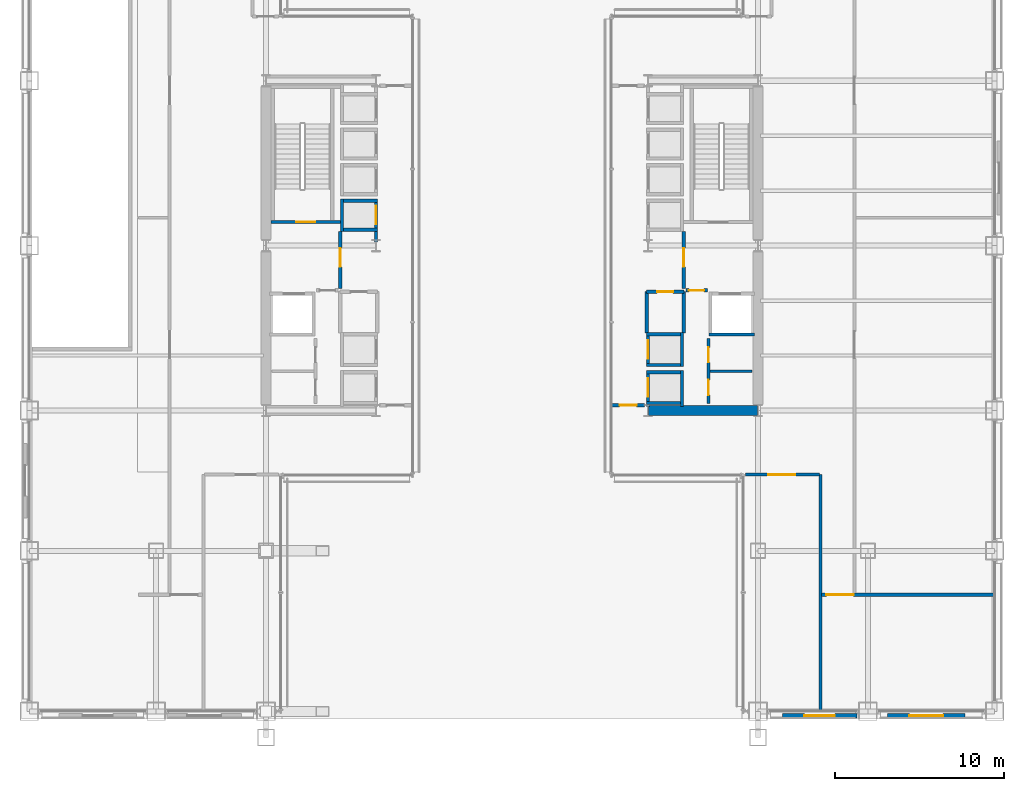
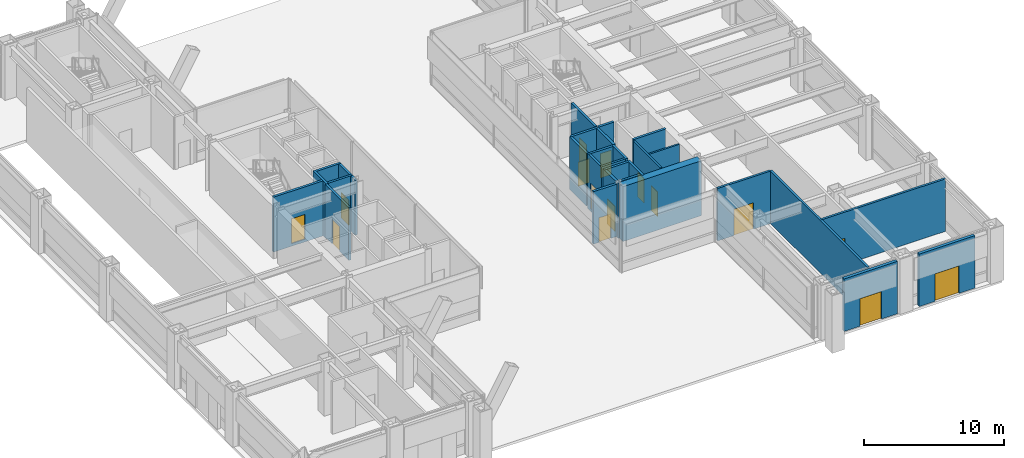
# One storey, part 31 of 37: 29 walls, 15 doors, 15 openings.
"""IFC4 building model written with IfcOpenShell, lengths in metres."""

from ifc_helpers import new_model, si_unit, direction, frame, frame_2d, origin, place, context, subcontext, project, spatial, rectangle, extrude, material, layer, layer_set, type_object, element, fill, save


model = new_model("IFC4")

# Units and contexts
model_context = context("Model", 3, precision=1e-05, world=origin(), true_north=direction((0.0, 1.0)))
body_context = subcontext(model_context, "Body", "Model", "MODEL_VIEW")
ifc_project = project(units=[si_unit("LENGTHUNIT", "METRE"), si_unit("AREAUNIT", "SQUARE_METRE"), si_unit("VOLUMEUNIT", "CUBIC_METRE"), si_unit("PLANEANGLEUNIT", "RADIAN"), si_unit("MASSUNIT", "GRAM", prefix="KILO")], contexts=[model_context])

# Site, building, storey
site_placement = place(None, origin())
site = spatial("IfcSite", under=ifc_project, at=site_placement, CompositionType="ELEMENT")
building_placement = place(site_placement, origin())
building = spatial("IfcBuilding", under=site, at=building_placement, Name="Brelmoor Portico Tower", CompositionType="ELEMENT")
storey_placement = place(building_placement, origin())
storey = spatial("IfcBuildingStorey", under=building, at=storey_placement, Name="L00", CompositionType="ELEMENT", Elevation=0.0)

# Wall
ifc_material_1 = material(Name="Concrete C60", Category="concrete")
ifc_layer_1 = layer(ifc_material_1, 0.60009765625)
ifc_layer_set_1 = layer_set([ifc_layer_1], Name="Concrete C60")
wall_type_1 = type_object("IfcWallType", Name="WL-CORE-600", PredefinedType="SHEAR", material=ifc_layer_set_1)
wall_1_placement = place(storey_placement, frame((8.070068359375, -9.75, -0.219970703125), z_axis=(0.0, 0.0, 1.0), x_axis=(1.0, 0.0, 0.0)))
element("IfcWall", 1, at=wall_1_placement, inside=storey, type_object=wall_type_1, Name="L00 EC South Shear Wall", PredefinedType="SHEAR", context=body_context, shape_type="SweptSolid", body=[
    extrude(rectangle(XDim=6.4599609375, YDim=0.60009765625, at=frame_2d((3.22998046875, 0.0))), origin(), (0.0, 0.0, 1.0), 4.800048828125),
])

# Wall, opening, door
ifc_material_2 = material(Name="Precast Concrete C40 Insulated Facade Wall", Category="concrete")
ifc_layer_2 = layer(ifc_material_2, 0.25)
ifc_layer_set_2 = layer_set([ifc_layer_2], Name="Precast Concrete C40 Insulated Facade Wall")
wall_type_2 = type_object("IfcWallType", Name="WL-EXT-250", PredefinedType="STANDARD", material=ifc_layer_set_2)
wall_2_placement = place(storey_placement, frame((20.39990234375, -27.800048828125, 0.0), z_axis=(0.0, 0.0, 1.0), x_axis=(-1.0, 0.0, 0.0)))
wall_2 = element("IfcWall", 2, at=wall_2_placement, inside=storey, type_object=wall_type_2, Name="L00 Final Exit Portal Wall ED-03", PredefinedType="STANDARD", context=body_context, shape_type="SweptSolid", body=[
    extrude(rectangle(XDim=4.39990234375, YDim=0.25, at=frame_2d((2.199951171875, 0.0))), origin(), (0.0, 0.0, 1.0), 4.580078125),
])
opening_1_placement = place(wall_2_placement, frame((1.300048828125, 0.0, 0.0)))
opening_1 = element("IfcOpeningElement", 3, at=opening_1_placement, cuts=wall_2, Name="Opening ED-02", PredefinedType="OPENING", context=body_context, shape_type="SweptSolid", body=[
    extrude(rectangle(XDim=1.800048828125, YDim=2.39990234375, at=frame_2d((0.89990234375, 1.199951171875))), frame((0.0, 0.135009765625, 0.0), z_axis=(0.0, -1.0, 0.0), x_axis=(1.0, 0.0, 0.0)), (0.0, 0.0, 1.0), 0.27001953125),
])
ifc_material_3 = material(Name="Anodised Aluminium Secondary Exit Door", Category="aluminium")
door_type_1 = type_object("IfcDoorType", Name="DR-EXIT-1800", OperationType="NOTDEFINED", PredefinedType="DOOR", material=ifc_material_3)
door_1_placement = place(opening_1_placement, origin())
door_1 = element("IfcDoor", 4, at=door_1_placement, inside=storey, type_object=door_type_1, Name="D-0051 L00 Ground Final Exit Door ED-03", OperationType="DOUBLE_DOOR_SINGLE_SWING", OverallHeight=2.39990234375, OverallWidth=1.800048828125, PredefinedType="DOOR", context=body_context, shape_type="SweptSolid", body=[
    extrude(rectangle(XDim=1.800048828125, YDim=2.39990234375, at=frame_2d((0.89990234375, 1.199951171875))), frame((0.0, 0.02490234375, 0.0), z_axis=(0.0, -1.0, 0.0), x_axis=(1.0, 0.0, 0.0)), (0.0, 0.0, 1.0), 0.050048828125),
])
fill(opening_1, door_1)

wall_3_placement = place(storey_placement, frame((26.800048828125, -27.800048828125, 0.0), z_axis=(0.0, 0.0, 1.0), x_axis=(-1.0, 0.0, 0.0)))
wall_3 = element("IfcWall", 5, at=wall_3_placement, inside=storey, type_object=wall_type_2, Name="L00 Final Exit Portal Wall ED-04", PredefinedType="STANDARD", context=body_context, shape_type="SweptSolid", body=[
    extrude(rectangle(XDim=4.60009765625, YDim=0.25, at=frame_2d((2.300048828125, 0.0))), origin(), (0.0, 0.0, 1.0), 4.580078125),
])
opening_2_placement = place(wall_3_placement, frame((1.300048828125, 0.0, 0.0)))
opening_2 = element("IfcOpeningElement", 6, at=opening_2_placement, cuts=wall_3, Name="Opening ED-01", PredefinedType="OPENING", context=body_context, shape_type="SweptSolid", body=[
    extrude(rectangle(XDim=2.0, YDim=2.39990234375, at=frame_2d((1.0, 1.199951171875))), frame((0.0, 0.135009765625, 0.0), z_axis=(0.0, -1.0, 0.0), x_axis=(1.0, 0.0, 0.0)), (0.0, 0.0, 1.0), 0.27001953125),
])
ifc_material_4 = material(Name="Anodised Aluminium Outward Panic Exit Door", Category="aluminium")
door_type_2 = type_object("IfcDoorType", Name="DR-EXIT-2000", OperationType="NOTDEFINED", PredefinedType="DOOR", material=ifc_material_4)
door_2_placement = place(opening_2_placement, origin())
door_2 = element("IfcDoor", 7, at=door_2_placement, inside=storey, type_object=door_type_2, Name="D-0052 L00 Ground Final Exit Door ED-04", OperationType="DOUBLE_DOOR_SINGLE_SWING", OverallHeight=2.39990234375, OverallWidth=2.0, PredefinedType="DOOR", context=body_context, shape_type="SweptSolid", body=[
    extrude(rectangle(XDim=2.0, YDim=2.39990234375, at=frame_2d((1.0, 1.199951171875))), frame((0.0, 0.02490234375, 0.0), z_axis=(0.0, -1.0, 0.0), x_axis=(1.0, 0.0, 0.0)), (0.0, 0.0, 1.0), 0.050048828125),
])
fill(opening_2, door_2)

# Wall
ifc_material_5 = material(Name="Insulated Stud Suite Partition", Category="gypsum")
ifc_layer_3 = layer(ifc_material_5, 0.139892578125)
ifc_layer_set_3 = layer_set([ifc_layer_3], Name="Insulated Stud Suite Partition")
wall_type_3 = type_object("IfcWallType", Name="WL-PART-140", PredefinedType="PARTITIONING", material=ifc_layer_set_3)
wall_4_placement = place(storey_placement, frame((11.699951171875, -7.425048828125, 0.0), z_axis=(0.0, 0.0, 1.0), x_axis=(1.0, 0.0, 0.0)))
element("IfcWall", 8, at=wall_4_placement, inside=storey, type_object=wall_type_3, Name="L00 E Core WC Divider 1", PredefinedType="PARTITIONING", context=body_context, shape_type="SweptSolid", body=[
    extrude(rectangle(XDim=2.5, YDim=0.139892578125, at=frame_2d((1.25, 0.0))), origin(), (0.0, 0.0, 1.0), 4.580078125),
])

# Wall, openings, doors
ifc_material_6 = material(Name="Twin-Frame Acoustic Partition", Category="gypsum")
ifc_layer_4 = layer(ifc_material_6, 0.159912109375)
ifc_layer_set_4 = layer_set([ifc_layer_4], Name="Twin-Frame Acoustic Partition")
wall_type_4 = type_object("IfcWallType", Name="WL-PART-160", PredefinedType="PARTITIONING", material=ifc_layer_set_4)
wall_5_placement = place(storey_placement, frame((11.6201171875, -9.35009765625, 0.0), z_axis=(0.0, 0.0, 1.0), x_axis=(0.0, 1.0, 0.0)))
wall_5 = element("IfcWall", 9, at=wall_5_placement, inside=storey, type_object=wall_type_4, Name="L00 E Core Service Front Wall", PredefinedType="PARTITIONING", context=body_context, shape_type="SweptSolid", body=[
    extrude(rectangle(XDim=3.85009765625, YDim=0.159912109375, at=frame_2d((1.925048828125, 0.0))), origin(), (0.0, 0.0, 1.0), 4.580078125),
])
opening_3_placement = place(wall_5_placement, frame((0.512451171875, 0.0, 0.0)))
opening_3 = element("IfcOpeningElement", 10, at=opening_3_placement, cuts=wall_5, Name="Opening D-IN1", PredefinedType="OPENING", context=body_context, shape_type="SweptSolid", body=[
    extrude(rectangle(XDim=0.89990234375, YDim=2.14990234375, at=frame_2d((0.449951171875, 1.074951171875))), frame((0.0, 0.08984375, 0.0), z_axis=(0.0, -1.0, 0.0), x_axis=(1.0, 0.0, 0.0)), (0.0, 0.0, 1.0), 0.179931640625),
])
opening_4_placement = place(wall_5_placement, frame((2.4375, 0.0, 0.0)))
opening_4 = element("IfcOpeningElement", 11, at=opening_4_placement, cuts=wall_5, Name="Opening D-IN1", PredefinedType="OPENING", context=body_context, shape_type="SweptSolid", body=[
    extrude(rectangle(XDim=0.89990234375, YDim=2.14990234375, at=frame_2d((0.449951171875, 1.074951171875))), frame((0.0, 0.08984375, 0.0), z_axis=(0.0, -1.0, 0.0), x_axis=(1.0, 0.0, 0.0)), (0.0, 0.0, 1.0), 0.179931640625),
])
ifc_material_7 = material(Name="Lacquered Timber Suite Door", Category="wood")
door_type_3 = type_object("IfcDoorType", Name="DR-INT-900", OperationType="NOTDEFINED", PredefinedType="DOOR", material=ifc_material_7)
door_3_placement = place(opening_3_placement, origin())
door_3 = element("IfcDoor", 12, at=door_3_placement, inside=storey, type_object=door_type_3, Name="D-0043 L00 E Male WC Door", OperationType="SINGLE_SWING_RIGHT", OverallHeight=2.14990234375, OverallWidth=0.89990234375, PredefinedType="DOOR", context=body_context, shape_type="SweptSolid", body=[
    extrude(rectangle(XDim=0.89990234375, YDim=2.14990234375, at=frame_2d((0.449951171875, 1.074951171875))), frame((0.0, 0.02490234375, 0.0), z_axis=(0.0, -1.0, 0.0), x_axis=(1.0, 0.0, 0.0)), (0.0, 0.0, 1.0), 0.050048828125),
])
fill(opening_3, door_3)
door_4_placement = place(opening_4_placement, origin())
door_4 = element("IfcDoor", 13, at=door_4_placement, inside=storey, type_object=door_type_3, Name="D-0044 L00 E Female WC Door", OperationType="SINGLE_SWING_LEFT", OverallHeight=2.14990234375, OverallWidth=0.89990234375, PredefinedType="DOOR", context=body_context, shape_type="SweptSolid", body=[
    extrude(rectangle(XDim=0.89990234375, YDim=2.14990234375, at=frame_2d((0.449951171875, 1.074951171875))), frame((0.0, 0.02490234375, 0.0), z_axis=(0.0, -1.0, 0.0), x_axis=(1.0, 0.0, 0.0)), (0.0, 0.0, 1.0), 0.050048828125),
])
fill(opening_4, door_4)

# Wall, opening, door
ifc_material_8 = material(Name="Acoustic Corridor Fire Partition", Category="gypsum")
ifc_layer_5 = layer(ifc_material_8, 0.179931640625)
ifc_layer_set_5 = layer_set([ifc_layer_5], Name="Acoustic Corridor Fire Partition")
wall_type_5 = type_object("IfcWallType", Name="WL-PART-180", PredefinedType="PARTITIONING", material=ifc_layer_set_5)
wall_6_placement = place(storey_placement, frame((13.800048828125, -13.550048828125, 0.0), z_axis=(0.0, 0.0, 1.0), x_axis=(1.0, 0.0, 0.0)))
wall_6 = element("IfcWall", 14, at=wall_6_placement, inside=storey, type_object=wall_type_5, Name="L00 E South Hall Wall", PredefinedType="PARTITIONING", context=body_context, shape_type="SweptSolid", body=[
    extrude(rectangle(XDim=4.39990234375, YDim=0.179931640625, at=frame_2d((2.199951171875, 0.0))), origin(), (0.0, 0.0, 1.0), 4.580078125),
])
opening_5_placement = place(wall_6_placement, frame((1.35009765625, 0.0, 0.0)))
opening_5 = element("IfcOpeningElement", 15, at=opening_5_placement, cuts=wall_6, Name="Opening D-PB1", PredefinedType="OPENING", context=body_context, shape_type="SweptSolid", body=[
    extrude(rectangle(XDim=1.60009765625, YDim=2.300048828125, at=frame_2d((0.800048828125, 1.14990234375))), frame((0.0, 0.099853515625, 0.0), z_axis=(0.0, -1.0, 0.0), x_axis=(1.0, 0.0, 0.0)), (0.0, 0.0, 1.0), 0.199951171875),
])
ifc_material_9 = material(Name="Double-Leaf Anodised Aluminium Hall Door", Category="aluminium")
door_type_4 = type_object("IfcDoorType", Name="DR-PUBLIC-1600", OperationType="NOTDEFINED", PredefinedType="DOOR", material=ifc_material_9)
door_5_placement = place(opening_5_placement, origin())
door_5 = element("IfcDoor", 16, at=door_5_placement, inside=storey, type_object=door_type_4, Name="D-0069 L00 E South Studio Door", OperationType="DOUBLE_DOOR_SINGLE_SWING", OverallHeight=2.300048828125, OverallWidth=1.60009765625, PredefinedType="DOOR", context=body_context, shape_type="SweptSolid", body=[
    extrude(rectangle(XDim=1.60009765625, YDim=2.300048828125, at=frame_2d((0.800048828125, 1.14990234375))), frame((0.0, 0.02490234375, 0.0), z_axis=(0.0, -1.0, 0.0), x_axis=(1.0, 0.0, 0.0)), (0.0, 0.0, 1.0), 0.050048828125),
])
fill(opening_5, door_5)

# Wall
wall_7_placement = place(storey_placement, frame((18.25, -27.5, 0.0), z_axis=(0.0, 0.0, 1.0), x_axis=(0.0, 1.0, 0.0)))
element("IfcWall", 17, at=wall_7_placement, inside=storey, type_object=wall_type_5, Name="L00 E South Studio Side Wall", PredefinedType="PARTITIONING", context=body_context, shape_type="SweptSolid", body=[
    extrude(rectangle(XDim=13.949951171875, YDim=0.179931640625, at=frame_2d((6.97509765625, 0.0))), origin(), (0.0, 0.0, 1.0), 4.580078125),
])

# Wall, opening, door
wall_8_placement = place(storey_placement, frame((18.300048828125, -20.64990234375, 0.0), z_axis=(0.0, 0.0, 1.0), x_axis=(1.0, 0.0, 0.0)))
wall_8 = element("IfcWall", 18, at=wall_8_placement, inside=storey, type_object=wall_type_5, Name="L00 E South Corner Concourse Wall", PredefinedType="PARTITIONING", context=body_context, shape_type="SweptSolid", body=[
    extrude(rectangle(XDim=10.219970703125, YDim=0.179931640625, at=frame_2d((5.10986328125, 0.0))), origin(), (0.0, 0.0, 1.0), 4.580078125),
])
opening_6_placement = place(wall_8_placement, frame((0.300048828125, 0.0, 0.0)))
opening_6 = element("IfcOpeningElement", 19, at=opening_6_placement, cuts=wall_8, Name="Opening D-PB1", PredefinedType="OPENING", context=body_context, shape_type="SweptSolid", body=[
    extrude(rectangle(XDim=1.60009765625, YDim=2.300048828125, at=frame_2d((0.800048828125, 1.14990234375))), frame((0.0, 0.099853515625, 0.0), z_axis=(0.0, -1.0, 0.0), x_axis=(1.0, 0.0, 0.0)), (0.0, 0.0, 1.0), 0.199951171875),
])
door_6_placement = place(opening_6_placement, origin())
door_6 = element("IfcDoor", 20, at=door_6_placement, inside=storey, type_object=door_type_4, Name="D-0071 L00 E South Corner Retail Door", OperationType="DOUBLE_DOOR_SINGLE_SWING", OverallHeight=2.300048828125, OverallWidth=1.60009765625, PredefinedType="DOOR", context=body_context, shape_type="SweptSolid", body=[
    extrude(rectangle(XDim=1.60009765625, YDim=2.300048828125, at=frame_2d((0.800048828125, 1.14990234375))), frame((0.0, 0.02490234375, 0.0), z_axis=(0.0, -1.0, 0.0), x_axis=(1.0, 0.0, 0.0)), (0.0, 0.0, 1.0), 0.050048828125),
])
fill(opening_6, door_6)

ifc_material_10 = material(Name="Double-Stud Gypsum Fire Partition", Category="gypsum")
ifc_layer_6 = layer(ifc_material_10, 0.199951171875)
ifc_layer_set_6 = layer_set([ifc_layer_6], Name="Double-Stud Gypsum Fire Partition")
wall_type_6 = type_object("IfcWallType", Name="WL-PART-200", PredefinedType="PARTITIONING", material=ifc_layer_set_6)
wall_9_placement = place(storey_placement, frame((-10.159912109375, -2.550048828125, 0.0), z_axis=(0.0, 0.0, 1.0), x_axis=(0.0, 1.0, 0.0)))
wall_9 = element("IfcWall", 21, at=wall_9_placement, inside=storey, type_object=wall_type_6, Name="L00 W Firefighting Lobby Wall", PredefinedType="PARTITIONING", context=body_context, shape_type="SweptSolid", body=[
    extrude(rectangle(XDim=3.400146484375, YDim=0.199951171875, at=frame_2d((1.7001953125, 0.0))), origin(), (0.0, 0.0, 1.0), 4.580078125),
])
opening_7_placement = place(wall_9_placement, frame((1.300048828125, 0.0, 0.0)))
opening_7 = element("IfcOpeningElement", 22, at=opening_7_placement, cuts=wall_9, Name="Opening D-FR1", PredefinedType="OPENING", context=body_context, shape_type="SweptSolid", body=[
    extrude(rectangle(XDim=1.10009765625, YDim=2.14990234375, at=frame_2d((0.550048828125, 1.074951171875))), frame((0.0, 0.10986328125, 0.0), z_axis=(0.0, -1.0, 0.0), x_axis=(1.0, 0.0, 0.0)), (0.0, 0.0, 1.0), 0.219970703125),
])
ifc_material_11 = material(Name="Painted Galvanised Steel Fire Door", Category="steel")
door_type_5 = type_object("IfcDoorType", Name="DR-FIRE-1100", OperationType="NOTDEFINED", PredefinedType="DOOR", material=ifc_material_11)
door_7_placement = place(opening_7_placement, origin())
door_7 = element("IfcDoor", 23, at=door_7_placement, inside=storey, type_object=door_type_5, Name="D-0062 L00 W Firefighting Lobby Door", OperationType="SINGLE_SWING_RIGHT", OverallHeight=2.14990234375, OverallWidth=1.10009765625, PredefinedType="DOOR", context=body_context, shape_type="SweptSolid", body=[
    extrude(rectangle(XDim=1.10009765625, YDim=2.14990234375, at=frame_2d((0.550048828125, 1.074951171875))), frame((0.0, 0.02490234375, 0.0), z_axis=(0.0, -1.0, 0.0), x_axis=(1.0, 0.0, 0.0)), (0.0, 0.0, 1.0), 0.050048828125),
])
fill(opening_7, door_7)

wall_10_placement = place(storey_placement, frame((10.159912109375, -2.550048828125, 0.0), z_axis=(0.0, 0.0, 1.0), x_axis=(0.0, 1.0, 0.0)))
wall_10 = element("IfcWall", 24, at=wall_10_placement, inside=storey, type_object=wall_type_6, Name="L00 E Firefighting Lobby Wall", PredefinedType="PARTITIONING", context=body_context, shape_type="SweptSolid", body=[
    extrude(rectangle(XDim=3.400146484375, YDim=0.199951171875, at=frame_2d((1.7001953125, 0.0))), origin(), (0.0, 0.0, 1.0), 4.580078125),
])
opening_8_placement = place(wall_10_placement, frame((1.300048828125, 0.0, 0.0)))
opening_8 = element("IfcOpeningElement", 25, at=opening_8_placement, cuts=wall_10, Name="Opening D-FR1", PredefinedType="OPENING", context=body_context, shape_type="SweptSolid", body=[
    extrude(rectangle(XDim=1.10009765625, YDim=2.14990234375, at=frame_2d((0.550048828125, 1.074951171875))), frame((0.0, 0.10986328125, 0.0), z_axis=(0.0, -1.0, 0.0), x_axis=(1.0, 0.0, 0.0)), (0.0, 0.0, 1.0), 0.219970703125),
])
door_8_placement = place(opening_8_placement, origin())
door_8 = element("IfcDoor", 26, at=door_8_placement, inside=storey, type_object=door_type_5, Name="D-0061 L00 E Firefighting Lobby Door", OperationType="SINGLE_SWING_LEFT", OverallHeight=2.14990234375, OverallWidth=1.10009765625, PredefinedType="DOOR", context=body_context, shape_type="SweptSolid", body=[
    extrude(rectangle(XDim=1.10009765625, YDim=2.14990234375, at=frame_2d((0.550048828125, 1.074951171875))), frame((0.0, 0.02490234375, 0.0), z_axis=(0.0, -1.0, 0.0), x_axis=(1.0, 0.0, 0.0)), (0.0, 0.0, 1.0), 0.050048828125),
])
fill(opening_8, door_8)

wall_11_placement = place(storey_placement, frame((10.280029296875, -2.64990234375, 0.0), z_axis=(0.0, 0.0, 1.0), x_axis=(1.0, 0.0, 0.0)))
wall_11 = element("IfcWall", 27, at=wall_11_placement, inside=storey, type_object=wall_type_6, Name="L00 E Firefighting Lobby South Wall", PredefinedType="PARTITIONING", context=body_context, shape_type="SweptSolid", body=[
    extrude(rectangle(XDim=1.27001953125, YDim=0.199951171875, at=frame_2d((0.635009765625, 0.0))), origin(), (0.0, 0.0, 1.0), 4.580078125),
])
opening_9_placement = place(wall_11_placement, frame((0.18505859375, 0.0, 0.0)))
opening_9 = element("IfcOpeningElement", 28, at=opening_9_placement, cuts=wall_11, Name="Opening D-IN1", PredefinedType="OPENING", context=body_context, shape_type="SweptSolid", body=[
    extrude(rectangle(XDim=0.89990234375, YDim=2.14990234375, at=frame_2d((0.449951171875, 1.074951171875))), frame((0.0, 0.10986328125, 0.0), z_axis=(0.0, -1.0, 0.0), x_axis=(1.0, 0.0, 0.0)), (0.0, 0.0, 1.0), 0.219970703125),
])
door_9_placement = place(opening_9_placement, origin())
door_9 = element("IfcDoor", 29, at=door_9_placement, inside=storey, type_object=door_type_3, Name="D-0045 L00 E Core Service Vestibule Door", OperationType="SINGLE_SWING_RIGHT", OverallHeight=2.14990234375, OverallWidth=0.89990234375, PredefinedType="DOOR", context=body_context, shape_type="SweptSolid", body=[
    extrude(rectangle(XDim=0.89990234375, YDim=2.14990234375, at=frame_2d((0.449951171875, 1.074951171875))), frame((0.0, 0.02490234375, 0.0), z_axis=(0.0, -1.0, 0.0), x_axis=(1.0, 0.0, 0.0)), (0.0, 0.0, 1.0), 0.050048828125),
])
fill(opening_9, door_9)

wall_12_placement = place(storey_placement, frame((7.9599609375, -2.719970703125, 0.0), z_axis=(0.0, 0.0, 1.0), x_axis=(1.0, 0.0, 0.0)))
wall_12 = element("IfcWall", 30, at=wall_12_placement, inside=storey, type_object=wall_type_6, Name="L00 E Electrical Switchgear Closet Wall", PredefinedType="PARTITIONING", context=body_context, shape_type="SweptSolid", body=[
    extrude(rectangle(XDim=2.199951171875, YDim=0.199951171875, at=frame_2d((1.10009765625, 0.0))), origin(), (0.0, 0.0, 1.0), 4.580078125),
])
opening_10_placement = place(wall_12_placement, frame((0.6201171875, 0.0, 0.0)))
opening_10 = element("IfcOpeningElement", 31, at=opening_10_placement, cuts=wall_12, Name="Opening D-FR4", PredefinedType="OPENING", context=body_context, shape_type="SweptSolid", body=[
    extrude(rectangle(XDim=0.949951171875, YDim=2.10009765625, at=frame_2d((0.47509765625, 1.050048828125))), frame((0.0, 0.10986328125, 0.0), z_axis=(0.0, -1.0, 0.0), x_axis=(1.0, 0.0, 0.0)), (0.0, 0.0, 1.0), 0.219970703125),
])
ifc_material_12 = material(Name="Painted Galvanised Steel Riser Door", Category="steel")
door_type_6 = type_object("IfcDoorType", Name="DR-FIRE-950", OperationType="NOTDEFINED", PredefinedType="DOOR", material=ifc_material_12)
door_10_placement = place(opening_10_placement, origin())
door_10 = element("IfcDoor", 32, at=door_10_placement, inside=storey, type_object=door_type_6, Name="D-0057 L00 E Electrical Switchgear Closet Door", OperationType="SINGLE_SWING_LEFT", OverallHeight=2.10009765625, OverallWidth=0.949951171875, PredefinedType="DOOR", context=body_context, shape_type="SweptSolid", body=[
    extrude(rectangle(XDim=0.949951171875, YDim=2.10009765625, at=frame_2d((0.47509765625, 1.050048828125))), frame((0.0, 0.02490234375, 0.0), z_axis=(0.0, -1.0, 0.0), x_axis=(1.0, 0.0, 0.0)), (0.0, 0.0, 1.0), 0.050048828125),
])
fill(opening_10, door_10)

# Walls
for number, where, z_axis, x_axis, name in (
    (33, (7.9599609375, -5.159912109375, 0.0), (0.0, 0.0, 1.0), (0.0, 1.0, 0.0), "L00 E Electrical Switchgear Closet Inner Wall"),
    (34, (10.159912109375, -5.159912109375, 0.0), (0.0, 0.0, 1.0), (0.0, 1.0, 0.0), "L00 E Electrical Switchgear Closet Outer Wall"),
):
    element("IfcWall", number, at=place(storey_placement, frame(where, z_axis=z_axis, x_axis=x_axis)), inside=storey, type_object=wall_type_6, Name=name, PredefinedType="PARTITIONING", context=body_context, shape_type="SweptSolid", body=[
        extrude(rectangle(XDim=2.43994140625, YDim=0.199951171875, at=frame_2d((1.219970703125, 0.0))), origin(), (0.0, 0.0, 1.0), 4.580078125),
    ])

# Wall, opening, door
wall_13_placement = place(storey_placement, frame((5.919921875, -9.449951171875, 0.0), z_axis=(0.0, 0.0, 1.0), x_axis=(1.0, 0.0, 0.0)))
wall_13 = element("IfcWall", 35, at=wall_13_placement, inside=storey, type_object=wall_type_6, Name="L00 E Pier Lift Lobby South Wall", PredefinedType="PARTITIONING", context=body_context, shape_type="SweptSolid", body=[
    extrude(rectangle(XDim=1.93017578125, YDim=0.199951171875, at=frame_2d((0.965087890625, 0.0))), origin(), (0.0, 0.0, 1.0), 4.580078125),
])
opening_11_placement = place(wall_13_placement, frame((0.449951171875, 0.0, 0.0)))
opening_11 = element("IfcOpeningElement", 36, at=opening_11_placement, cuts=wall_13, Name="Opening D-FR2", PredefinedType="OPENING", context=body_context, shape_type="SweptSolid", body=[
    extrude(rectangle(XDim=1.0, YDim=2.14990234375, at=frame_2d((0.5, 1.074951171875))), frame((0.0, 0.10986328125, 0.0), z_axis=(0.0, -1.0, 0.0), x_axis=(1.0, 0.0, 0.0)), (0.0, 0.0, 1.0), 0.219970703125),
])
door_type_7 = type_object("IfcDoorType", Name="DR-FIRE-1000", OperationType="NOTDEFINED", PredefinedType="DOOR", material=ifc_material_11)
door_11_placement = place(opening_11_placement, origin())
door_11 = element("IfcDoor", 37, at=door_11_placement, inside=storey, type_object=door_type_7, Name="D-0065 L00 E Pier Lift Lobby South Door", OperationType="SINGLE_SWING_RIGHT", OverallHeight=2.14990234375, OverallWidth=1.0, PredefinedType="DOOR", context=body_context, shape_type="SweptSolid", body=[
    extrude(rectangle(XDim=1.0, YDim=2.14990234375, at=frame_2d((0.5, 1.074951171875))), frame((0.0, 0.02490234375, 0.0), z_axis=(0.0, -1.0, 0.0), x_axis=(1.0, 0.0, 0.0)), (0.0, 0.0, 1.0), 0.050048828125),
])
fill(opening_11, door_11)

ifc_material_13 = material(Name="Precast Concrete C40", Category="concrete")
ifc_layer_7 = layer(ifc_material_13, 0.18994140625)
ifc_layer_set_7 = layer_set([ifc_layer_7], Name="Precast Concrete C40")
wall_type_7 = type_object("IfcWallType", Name="WL-SHAFT-180", PredefinedType="SOLIDWALL", material=ifc_layer_set_7)
wall_14_placement = place(storey_placement, frame((-8.044921875, 0.2099609375, -0.219970703125), z_axis=(0.0, 0.0, 1.0), x_axis=(0.0, 1.0, 0.0)))
wall_14 = element("IfcWall", 38, at=wall_14_placement, inside=storey, type_object=wall_type_7, Name="L00 Lift PL1 Hoistway Front Wall", PredefinedType="SOLIDWALL", context=body_context, shape_type="SweptSolid", body=[
    extrude(rectangle(XDim=2.5400390625, YDim=0.18994140625, at=frame_2d((1.27001953125, 0.0))), origin(), (0.0, 0.0, 1.0), 4.800048828125),
])
opening_12_placement = place(wall_14_placement, frame((1.0400390625, 0.0, 0.219970703125)))
opening_12 = element("IfcOpeningElement", 39, at=opening_12_placement, cuts=wall_14, Name="Opening LD-01", PredefinedType="OPENING", context=body_context, shape_type="SweptSolid", body=[
    extrude(rectangle(XDim=1.10009765625, YDim=2.199951171875, at=frame_2d((0.550048828125, 1.10009765625))), frame((0.0, 0.10498046875, 0.0), z_axis=(0.0, -1.0, 0.0), x_axis=(1.0, 0.0, 0.0)), (0.0, 0.0, 1.0), 0.2099609375),
])
ifc_material_14 = material(Name="Brushed Stainless Steel Sliding Lift Door", Category="steel")
door_type_8 = type_object("IfcDoorType", Name="DR-LIFT-1100", OperationType="NOTDEFINED", PredefinedType="DOOR", material=ifc_material_14)
door_12_placement = place(opening_12_placement, origin())
door_12 = element("IfcDoor", 40, at=door_12_placement, inside=storey, type_object=door_type_8, Name="D-0088 L00 Lift PL1 Sliding Landing Door", OperationType="SLIDING_TO_LEFT", OverallHeight=2.199951171875, OverallWidth=1.10009765625, PredefinedType="DOOR", context=body_context, shape_type="SweptSolid", body=[
    extrude(rectangle(XDim=1.10009765625, YDim=2.199951171875, at=frame_2d((0.550048828125, 1.10009765625))), frame((0.0, 0.02490234375, 0.0), z_axis=(0.0, -1.0, 0.0), x_axis=(1.0, 0.0, 0.0)), (0.0, 0.0, 1.0), 0.050048828125),
])
fill(opening_12, door_12)

# Walls
wall_15_placement = place(storey_placement, frame((-10.054931640625, 0.85009765625, -0.219970703125), z_axis=(0.0, 0.0, 1.0), x_axis=(0.0, 1.0, 0.0)))
element("IfcWall", 41, at=wall_15_placement, inside=storey, type_object=wall_type_7, Name="L00 Lift PL1 Hoistway Back Wall", PredefinedType="SOLIDWALL", context=body_context, shape_type="SweptSolid", body=[
    extrude(rectangle(XDim=1.89990234375, YDim=0.18994140625, at=frame_2d((0.949951171875, 0.0))), origin(), (0.0, 0.0, 1.0), 4.800048828125),
])
for number, where, z_axis, x_axis, name in (
    (42, (-10.14990234375, 2.655029296875, -0.219970703125), (0.0, 0.0, 1.0), (1.0, 0.0, 0.0), "L00 Lift PL1 Hoistway North Wall"),
    (43, (-10.14990234375, 0.945068359375, -0.219970703125), (0.0, 0.0, 1.0), (1.0, 0.0, 0.0), "L00 Lift PL1 Hoistway South Wall"),
):
    element("IfcWall", number, at=place(storey_placement, frame(where, z_axis=z_axis, x_axis=x_axis)), inside=storey, type_object=wall_type_7, Name=name, PredefinedType="SOLIDWALL", context=body_context, shape_type="SweptSolid", body=[
        extrude(rectangle(XDim=2.199951171875, YDim=0.18994140625, at=frame_2d((1.10009765625, 0.0))), origin(), (0.0, 0.0, 1.0), 4.800048828125),
    ])

# Wall, opening, door
wall_16_placement = place(storey_placement, frame((8.044921875, -9.52001953125, -0.219970703125), z_axis=(0.0, 0.0, 1.0), x_axis=(0.0, 1.0, 0.0)))
wall_16 = element("IfcWall", 44, at=wall_16_placement, inside=storey, type_object=wall_type_7, Name="L00 Lift PH3 Hoistway Front Wall", PredefinedType="SOLIDWALL", context=body_context, shape_type="SweptSolid", body=[
    extrude(rectangle(XDim=2.1201171875, YDim=0.18994140625, at=frame_2d((1.06005859375, 0.0))), origin(), (0.0, 0.0, 1.0), 4.800048828125),
])
opening_13_placement = place(wall_16_placement, frame((0.570068359375, 0.0, 0.219970703125)))
opening_13 = element("IfcOpeningElement", 45, at=opening_13_placement, cuts=wall_16, Name="Opening LD-01", PredefinedType="OPENING", context=body_context, shape_type="SweptSolid", body=[
    extrude(rectangle(XDim=1.10009765625, YDim=2.199951171875, at=frame_2d((0.550048828125, 1.10009765625))), frame((0.0, 0.10498046875, 0.0), z_axis=(0.0, -1.0, 0.0), x_axis=(1.0, 0.0, 0.0)), (0.0, 0.0, 1.0), 0.2099609375),
])
door_13_placement = place(opening_13_placement, origin())
door_13 = element("IfcDoor", 46, at=door_13_placement, inside=storey, type_object=door_type_8, Name="D-0086 L00 Lift PH3 Sliding Landing Door", OperationType="SLIDING_TO_LEFT", OverallHeight=2.199951171875, OverallWidth=1.10009765625, PredefinedType="DOOR", context=body_context, shape_type="SweptSolid", body=[
    extrude(rectangle(XDim=1.10009765625, YDim=2.199951171875, at=frame_2d((0.550048828125, 1.10009765625))), frame((0.0, 0.02490234375, 0.0), z_axis=(0.0, -1.0, 0.0), x_axis=(1.0, 0.0, 0.0)), (0.0, 0.0, 1.0), 0.050048828125),
])
fill(opening_13, door_13)

# Walls
wall_17_placement = place(storey_placement, frame((10.054931640625, -9.52001953125, -0.219970703125), z_axis=(0.0, 0.0, 1.0), x_axis=(0.0, 1.0, 0.0)))
element("IfcWall", 47, at=wall_17_placement, inside=storey, type_object=wall_type_7, Name="L00 Lift PH3 Hoistway Back Wall", PredefinedType="SOLIDWALL", context=body_context, shape_type="SweptSolid", body=[
    extrude(rectangle(XDim=2.1201171875, YDim=0.18994140625, at=frame_2d((1.06005859375, 0.0))), origin(), (0.0, 0.0, 1.0), 4.800048828125),
])
for number, where, z_axis, x_axis, name in (
    (48, (7.949951171875, -7.4951171875, -0.219970703125), (0.0, 0.0, 1.0), (1.0, 0.0, 0.0), "L00 Lift PH3 Hoistway North Wall"),
    (49, (7.949951171875, -9.304931640625, -0.219970703125), (0.0, 0.0, 1.0), (1.0, 0.0, 0.0), "L00 Lift PH3 Hoistway South Wall"),
):
    element("IfcWall", number, at=place(storey_placement, frame(where, z_axis=z_axis, x_axis=x_axis)), inside=storey, type_object=wall_type_7, Name=name, PredefinedType="SOLIDWALL", context=body_context, shape_type="SweptSolid", body=[
        extrude(rectangle(XDim=2.199951171875, YDim=0.18994140625, at=frame_2d((1.10009765625, 0.0))), origin(), (0.0, 0.0, 1.0), 4.800048828125),
    ])

# Wall, opening, door
wall_18_placement = place(storey_placement, frame((8.044921875, -7.14990234375, -0.219970703125), z_axis=(0.0, 0.0, 1.0), x_axis=(0.0, 1.0, 0.0)))
wall_18 = element("IfcWall", 50, at=wall_18_placement, inside=storey, type_object=wall_type_7, Name="L00 Lift PH4 Hoistway Front Wall", PredefinedType="SOLIDWALL", context=body_context, shape_type="SweptSolid", body=[
    extrude(rectangle(XDim=2.0, YDim=0.18994140625, at=frame_2d((1.0, 0.0))), origin(), (0.0, 0.0, 1.0), 4.800048828125),
])
opening_14_placement = place(wall_18_placement, frame((0.449951171875, 0.0, 0.219970703125)))
opening_14 = element("IfcOpeningElement", 51, at=opening_14_placement, cuts=wall_18, Name="Opening LD-01", PredefinedType="OPENING", context=body_context, shape_type="SweptSolid", body=[
    extrude(rectangle(XDim=1.10009765625, YDim=2.199951171875, at=frame_2d((0.550048828125, 1.10009765625))), frame((0.0, 0.10498046875, 0.0), z_axis=(0.0, -1.0, 0.0), x_axis=(1.0, 0.0, 0.0)), (0.0, 0.0, 1.0), 0.2099609375),
])
door_14_placement = place(opening_14_placement, origin())
door_14 = element("IfcDoor", 52, at=door_14_placement, inside=storey, type_object=door_type_8, Name="D-0087 L00 Lift PH4 Sliding Landing Door", OperationType="SLIDING_TO_LEFT", OverallHeight=2.199951171875, OverallWidth=1.10009765625, PredefinedType="DOOR", context=body_context, shape_type="SweptSolid", body=[
    extrude(rectangle(XDim=1.10009765625, YDim=2.199951171875, at=frame_2d((0.550048828125, 1.10009765625))), frame((0.0, 0.02490234375, 0.0), z_axis=(0.0, -1.0, 0.0), x_axis=(1.0, 0.0, 0.0)), (0.0, 0.0, 1.0), 0.050048828125),
])
fill(opening_14, door_14)

# Walls
wall_19_placement = place(storey_placement, frame((10.054931640625, -7.14990234375, -0.219970703125), z_axis=(0.0, 0.0, 1.0), x_axis=(0.0, 1.0, 0.0)))
element("IfcWall", 53, at=wall_19_placement, inside=storey, type_object=wall_type_7, Name="L00 Lift PH4 Hoistway Back Wall", PredefinedType="SOLIDWALL", context=body_context, shape_type="SweptSolid", body=[
    extrude(rectangle(XDim=2.0, YDim=0.18994140625, at=frame_2d((1.0, 0.0))), origin(), (0.0, 0.0, 1.0), 4.800048828125),
])
for number, where, z_axis, x_axis, name in (
    (54, (7.949951171875, -5.2451171875, -0.219970703125), (0.0, 0.0, 1.0), (1.0, 0.0, 0.0), "L00 Lift PH4 Hoistway North Wall"),
    (55, (7.949951171875, -7.054931640625, -0.219970703125), (0.0, 0.0, 1.0), (1.0, 0.0, 0.0), "L00 Lift PH4 Hoistway South Wall"),
):
    element("IfcWall", number, at=place(storey_placement, frame(where, z_axis=z_axis, x_axis=x_axis)), inside=storey, type_object=wall_type_7, Name=name, PredefinedType="SOLIDWALL", context=body_context, shape_type="SweptSolid", body=[
        extrude(rectangle(XDim=2.199951171875, YDim=0.18994140625, at=frame_2d((1.10009765625, 0.0))), origin(), (0.0, 0.0, 1.0), 4.800048828125),
    ])
wall_20_placement = place(storey_placement, frame((11.64990234375, -5.2548828125, -0.219970703125), z_axis=(0.0, 0.0, 1.0), x_axis=(1.0, 0.0, 0.0)))
element("IfcWall", 56, at=wall_20_placement, inside=storey, type_object=wall_type_7, Name="L00 Firefighting Lift FF2 South Wall", PredefinedType="SOLIDWALL", context=body_context, shape_type="SweptSolid", body=[
    extrude(rectangle(XDim=2.68017578125, YDim=0.18994140625, at=frame_2d((1.340087890625, 0.0))), origin(), (0.0, 0.0, 1.0), 4.800048828125),
])

# Wall, opening, door
ifc_material_15 = material(Name="Concrete C40", Category="concrete")
ifc_layer_8 = layer(ifc_material_15, 0.199951171875)
ifc_layer_set_8 = layer_set([ifc_layer_8], Name="Concrete C40")
wall_type_8 = type_object("IfcWallType", Name="WL-SHAFT-RC200", PredefinedType="SOLIDWALL", material=ifc_layer_set_8)
wall_21_placement = place(storey_placement, frame((-10.14990234375, 1.39990234375, -0.219970703125), z_axis=(0.0, 0.0, 1.0), x_axis=(-1.0, 0.0, 0.0)))
wall_21 = element("IfcWall", 57, at=wall_21_placement, inside=storey, type_object=wall_type_8, Name="L00 ST-W Structural Stair Wall S", PredefinedType="SOLIDWALL", context=body_context, shape_type="SweptSolid", body=[
    extrude(rectangle(XDim=4.10009765625, YDim=0.199951171875, at=frame_2d((2.050048828125, 0.0))), origin(), (0.0, 0.0, 1.0), 4.800048828125),
])
opening_15_placement = place(wall_21_placement, frame((1.5, 0.0, 0.219970703125)))
opening_15 = element("IfcOpeningElement", 58, at=opening_15_placement, cuts=wall_21, Name="Opening D-ST1", PredefinedType="OPENING", context=body_context, shape_type="SweptSolid", body=[
    extrude(rectangle(XDim=1.1201171875, YDim=2.179931640625, at=frame_2d((0.56005859375, 1.08984375))), frame((0.0, 0.10986328125, 0.0), z_axis=(0.0, -1.0, 0.0), x_axis=(1.0, 0.0, 0.0)), (0.0, 0.0, 1.0), 0.219970703125),
])
door_type_9 = type_object("IfcDoorType", Name="DR-STAIR-1100", OperationType="NOTDEFINED", PredefinedType="DOOR", material=ifc_material_11)
door_15_placement = place(opening_15_placement, origin())
door_15 = element("IfcDoor", 59, at=door_15_placement, inside=storey, type_object=door_type_9, Name="D-0080 L00 ST-W Protected Exit Stair Door", OperationType="SINGLE_SWING_LEFT", OverallHeight=2.179931640625, OverallWidth=1.1201171875, PredefinedType="DOOR", context=body_context, shape_type="SweptSolid", body=[
    extrude(rectangle(XDim=1.1201171875, YDim=2.179931640625, at=frame_2d((0.56005859375, 1.08984375))), frame((0.0, 0.02490234375, 0.0), z_axis=(0.0, -1.0, 0.0), x_axis=(1.0, 0.0, 0.0)), (0.0, 0.0, 1.0), 0.050048828125),
])
fill(opening_15, door_15)

save(model, "model.ifc")
